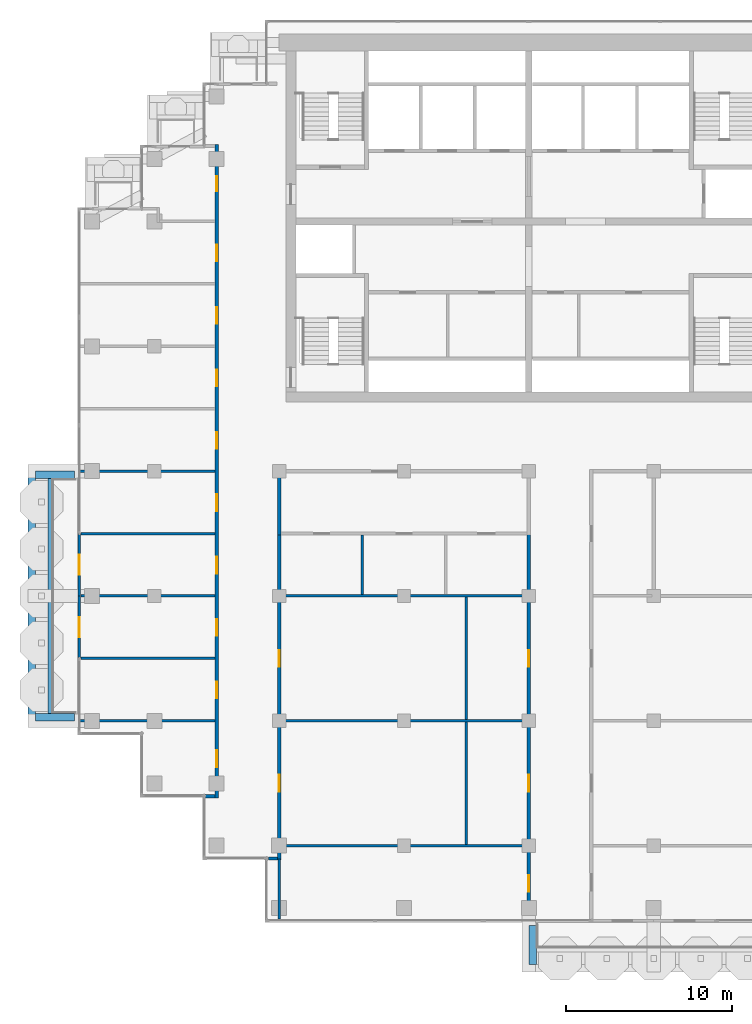
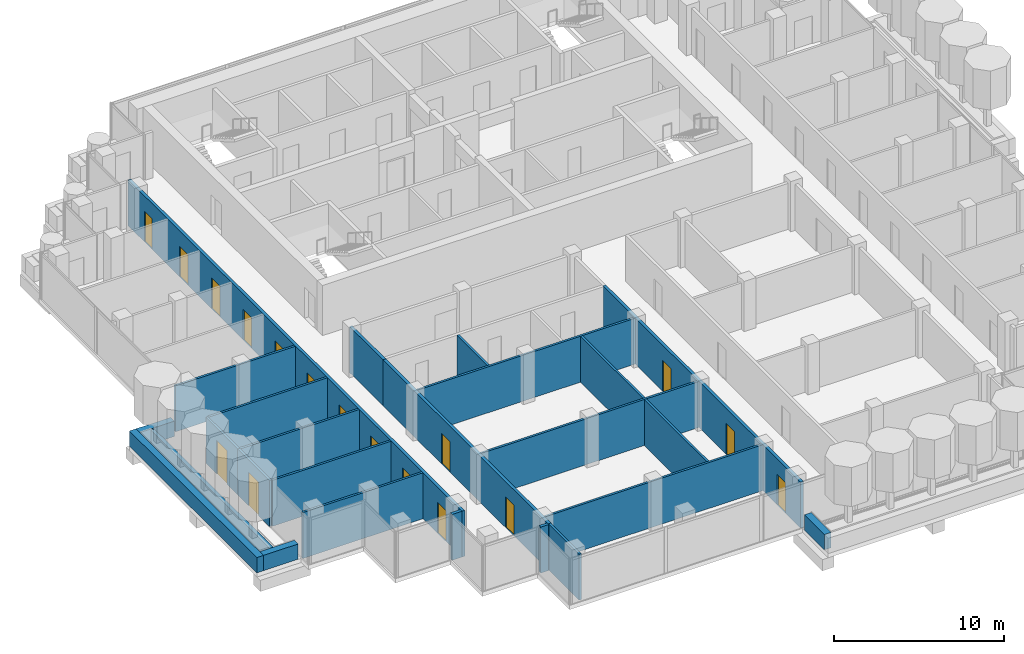
# One storey, part 11 of 19: 24 walls, 17 doors, 17 openings.
"""IFC4 building model written with IfcOpenShell, lengths in metres."""

from ifc_helpers import new_model, si_unit, direction, frame, frame_2d, origin, place, context, subcontext, project, spatial, rectangle, extrude, material, layer, layer_set, type_object, element, fill, save


model = new_model("IFC4")

# Units and contexts
model_context = context("Model", 3, precision=1e-05, world=origin(), true_north=direction((0.0, 1.0)))
body_context = subcontext(model_context, "Body", "Model", "MODEL_VIEW")
ifc_project = project(units=[si_unit("LENGTHUNIT", "METRE"), si_unit("AREAUNIT", "SQUARE_METRE"), si_unit("VOLUMEUNIT", "CUBIC_METRE"), si_unit("PLANEANGLEUNIT", "RADIAN"), si_unit("MASSUNIT", "GRAM", prefix="KILO")], contexts=[model_context])

# Site, building, storey
site_placement = place(None, origin())
site = spatial("IfcSite", under=ifc_project, at=site_placement, CompositionType="ELEMENT")
building_placement = place(site_placement, origin())
building = spatial("IfcBuilding", under=site, at=building_placement, Name="Pilkhan Gate Tower", CompositionType="ELEMENT")
storey_placement = place(building_placement, frame((0.0, 0.0, 246.300048828125)))
storey = spatial("IfcBuildingStorey", under=building, at=storey_placement, Name="L64", CompositionType="ELEMENT", Elevation=246.300048828125)

# Walls
ifc_material_1 = material(Name="Concrete C40/50", Category="concrete")
ifc_layer_1 = layer(ifc_material_1, 0.25)
ifc_layer_set_1 = layer_set([ifc_layer_1], Name="Balcony planter BP250")
wall_type_1 = type_object("IfcWallType", Name="Balcony planter BP250", PredefinedType="USERDEFINED", material=ifc_layer_set_1)
wall_1_placement = place(storey_placement, frame((46.22509765625, 52.949951171875, 0.0), z_axis=(0.0, 0.0, 1.0), x_axis=(0.0, 1.0, 0.0)))
element("IfcWall", 1, at=wall_1_placement, inside=storey, type_object=wall_type_1, Name="Balcony planter L64 W", ObjectType="BALCONY PLANTER", PredefinedType="USERDEFINED", context=body_context, shape_type="SweptSolid", body=[
    extrude(rectangle(XDim=14.10009765625, YDim=0.25, at=frame_2d((7.050048828125, 0.0))), origin(), (0.0, 0.0, 1.0), 1.0),
])
ifc_material_2 = material(Name="Board-marked Concrete C40/50", Category="concrete")
ifc_layer_2 = layer(ifc_material_2, 0.449951171875)
ifc_layer_set_2 = layer_set([ifc_layer_2], Name="Balcony planter lip BL450")
wall_type_2 = type_object("IfcWallType", Name="Balcony planter lip BL450", PredefinedType="USERDEFINED", material=ifc_layer_set_2)
wall_2_placement = place(storey_placement, frame((75.22509765625, 40.199951171875, 0.0), z_axis=(0.0, 0.0, 1.0), x_axis=(0.0, -1.0, 0.0)))
element("IfcWall", 2, at=wall_2_placement, inside=storey, type_object=wall_type_2, Name="Balcony planter L64 S", ObjectType="BALCONY PLANTER", PredefinedType="USERDEFINED", context=body_context, shape_type="SweptSolid", body=[
    extrude(rectangle(XDim=2.349853515625, YDim=0.449951171875, at=frame_2d((1.1748046875, 0.0))), origin(), (0.0, 0.0, 1.0), 1.099853515625),
])
wall_3_placement = place(storey_placement, frame((45.125, 52.5, 0.0), z_axis=(0.0, 0.0, 1.0), x_axis=(0.0, 1.0, 0.0)))
element("IfcWall", 3, at=wall_3_placement, inside=storey, type_object=wall_type_2, Name="Balcony planter L64 W", ObjectType="BALCONY PLANTER", PredefinedType="USERDEFINED", context=body_context, shape_type="SweptSolid", body=[
    extrude(rectangle(XDim=15.0, YDim=0.449951171875, at=frame_2d((7.5, 0.0))), origin(), (0.0, 0.0, 1.0), 1.099853515625),
])
for number, where, z_axis, x_axis, name in (
    (4, (47.699951171875, 52.72509765625, 0.0), (0.0, 0.0, 1.0), (-1.0, 0.0, 0.0), "Balcony planter L64 W"),
    (5, (47.699951171875, 67.27490234375, 0.0), (0.0, 0.0, 1.0), (-1.0, 0.0, 0.0), "Balcony planter L64 W"),
):
    element("IfcWall", number, at=place(storey_placement, frame(where, z_axis=z_axis, x_axis=x_axis)), inside=storey, type_object=wall_type_2, Name=name, ObjectType="BALCONY PLANTER", PredefinedType="USERDEFINED", context=body_context, shape_type="SweptSolid", body=[
        extrude(rectangle(XDim=2.349853515625, YDim=0.449951171875, at=frame_2d((1.1748046875, 0.0))), origin(), (0.0, 0.0, 1.0), 1.099853515625),
    ])
ifc_material_3 = material(Name="Dense blockwork", Category="masonry")
ifc_layer_3 = layer(ifc_material_3, 0.199951171875)
ifc_layer_set_3 = layer_set([ifc_layer_3], Name="Corridor wall FW200")
wall_type_3 = type_object("IfcWallType", Name="Corridor wall FW200", PredefinedType="PARTITIONING", material=ifc_layer_set_3)
wall_4_placement = place(storey_placement, frame((59.35498046875, 44.235107421875, 0.0), z_axis=(0.0, 0.0, 1.0), x_axis=(1.0, 0.0, 0.0)))
element("IfcWall", 6, at=wall_4_placement, inside=storey, type_object=wall_type_3, Name="Partition L64", PredefinedType="PARTITIONING", context=body_context, shape_type="SweptSolid", body=[
    extrude(rectangle(XDim=0.544921875, YDim=0.199951171875, at=frame_2d((0.2724609375, 0.0))), origin(), (0.0, 0.0, 1.0), 3.300048828125),
])
wall_5_placement = place(storey_placement, frame((55.485107421875, 47.969970703125, 0.0), z_axis=(0.0, 0.0, 1.0), x_axis=(1.0, 0.0, 0.0)))
element("IfcWall", 7, at=wall_5_placement, inside=storey, type_object=wall_type_3, Name="Partition L64", PredefinedType="PARTITIONING", context=body_context, shape_type="SweptSolid", body=[
    extrude(rectangle(XDim=0.664794921875, YDim=0.199951171875, at=frame_2d((0.33251953125, 0.0))), origin(), (0.0, 0.0, 1.0), 3.300048828125),
])

# Wall, openings, doors
wall_6_placement = place(storey_placement, frame((56.25, 47.8701171875, 0.0), z_axis=(0.0, 0.0, 1.0), x_axis=(0.0, 1.0, 0.0)))
wall_6 = element("IfcWall", 8, at=wall_6_placement, inside=storey, type_object=wall_type_3, Name="Partition L64", PredefinedType="PARTITIONING", context=body_context, shape_type="SweptSolid", body=[
    extrude(rectangle(XDim=39.259765625, YDim=0.199951171875, at=frame_2d((19.6298828125, 0.0))), origin(), (0.0, 0.0, 1.0), 3.300048828125),
])
opening_1_placement = place(wall_6_placement, frame((1.85009765625, 0.0, 0.0)))
opening_1 = element("IfcOpeningElement", 9, at=opening_1_placement, cuts=wall_6, Name="Opening L64-26", PredefinedType="OPENING", context=body_context, shape_type="SweptSolid", body=[
    extrude(rectangle(XDim=1.0, YDim=2.199951171875, at=frame_2d((0.5, 1.10009765625))), frame((0.0, 0.10986328125, 0.0), z_axis=(0.0, -1.0, 0.0), x_axis=(1.0, 0.0, 0.0)), (0.0, 0.0, 1.0), 0.219970703125),
])
opening_2_placement = place(wall_6_placement, frame((5.97998046875, 0.0, 0.0)))
opening_2 = element("IfcOpeningElement", 10, at=opening_2_placement, cuts=wall_6, Name="Opening L64-27", PredefinedType="OPENING", context=body_context, shape_type="SweptSolid", body=[
    extrude(rectangle(XDim=1.0, YDim=2.199951171875, at=frame_2d((0.5, 1.10009765625))), frame((0.0, 0.10986328125, 0.0), z_axis=(0.0, -1.0, 0.0), x_axis=(1.0, 0.0, 0.0)), (0.0, 0.0, 1.0), 0.219970703125),
])
opening_3_placement = place(wall_6_placement, frame((9.72998046875, 0.0, 0.0)))
opening_3 = element("IfcOpeningElement", 11, at=opening_3_placement, cuts=wall_6, Name="Opening L64-28", PredefinedType="OPENING", context=body_context, shape_type="SweptSolid", body=[
    extrude(rectangle(XDim=1.0, YDim=2.199951171875, at=frame_2d((0.5, 1.10009765625))), frame((0.0, 0.10986328125, 0.0), z_axis=(0.0, -1.0, 0.0), x_axis=(1.0, 0.0, 0.0)), (0.0, 0.0, 1.0), 0.219970703125),
])
opening_4_placement = place(wall_6_placement, frame((13.47998046875, 0.0, 0.0)))
opening_4 = element("IfcOpeningElement", 12, at=opening_4_placement, cuts=wall_6, Name="Opening L64-29", PredefinedType="OPENING", context=body_context, shape_type="SweptSolid", body=[
    extrude(rectangle(XDim=1.0, YDim=2.199951171875, at=frame_2d((0.5, 1.10009765625))), frame((0.0, 0.10986328125, 0.0), z_axis=(0.0, -1.0, 0.0), x_axis=(1.0, 0.0, 0.0)), (0.0, 0.0, 1.0), 0.219970703125),
])
opening_5_placement = place(wall_6_placement, frame((17.22998046875, 0.0, 0.0)))
opening_5 = element("IfcOpeningElement", 13, at=opening_5_placement, cuts=wall_6, Name="Opening L64-30", PredefinedType="OPENING", context=body_context, shape_type="SweptSolid", body=[
    extrude(rectangle(XDim=1.0, YDim=2.199951171875, at=frame_2d((0.5, 1.10009765625))), frame((0.0, 0.10986328125, 0.0), z_axis=(0.0, -1.0, 0.0), x_axis=(1.0, 0.0, 0.0)), (0.0, 0.0, 1.0), 0.219970703125),
])
opening_6_placement = place(wall_6_placement, frame((20.97998046875, 0.0, 0.0)))
opening_6 = element("IfcOpeningElement", 14, at=opening_6_placement, cuts=wall_6, Name="Opening L64-31", PredefinedType="OPENING", context=body_context, shape_type="SweptSolid", body=[
    extrude(rectangle(XDim=1.0, YDim=2.199951171875, at=frame_2d((0.5, 1.10009765625))), frame((0.0, 0.10986328125, 0.0), z_axis=(0.0, -1.0, 0.0), x_axis=(1.0, 0.0, 0.0)), (0.0, 0.0, 1.0), 0.219970703125),
])
opening_7_placement = place(wall_6_placement, frame((24.72998046875, 0.0, 0.0)))
opening_7 = element("IfcOpeningElement", 15, at=opening_7_placement, cuts=wall_6, Name="Opening L64-32", PredefinedType="OPENING", context=body_context, shape_type="SweptSolid", body=[
    extrude(rectangle(XDim=1.0, YDim=2.199951171875, at=frame_2d((0.5, 1.10009765625))), frame((0.0, 0.10986328125, 0.0), z_axis=(0.0, -1.0, 0.0), x_axis=(1.0, 0.0, 0.0)), (0.0, 0.0, 1.0), 0.219970703125),
])
opening_8_placement = place(wall_6_placement, frame((28.47998046875, 0.0, 0.0)))
opening_8 = element("IfcOpeningElement", 16, at=opening_8_placement, cuts=wall_6, Name="Opening L64-40", PredefinedType="OPENING", context=body_context, shape_type="SweptSolid", body=[
    extrude(rectangle(XDim=1.0, YDim=2.199951171875, at=frame_2d((0.5, 1.10009765625))), frame((0.0, 0.10986328125, 0.0), z_axis=(0.0, -1.0, 0.0), x_axis=(1.0, 0.0, 0.0)), (0.0, 0.0, 1.0), 0.219970703125),
])
opening_9_placement = place(wall_6_placement, frame((32.22998046875, 0.0, 0.0)))
opening_9 = element("IfcOpeningElement", 17, at=opening_9_placement, cuts=wall_6, Name="Opening L64-41", PredefinedType="OPENING", context=body_context, shape_type="SweptSolid", body=[
    extrude(rectangle(XDim=1.0, YDim=2.199951171875, at=frame_2d((0.5, 1.10009765625))), frame((0.0, 0.10986328125, 0.0), z_axis=(0.0, -1.0, 0.0), x_axis=(1.0, 0.0, 0.0)), (0.0, 0.0, 1.0), 0.219970703125),
])
opening_10_placement = place(wall_6_placement, frame((36.429931640625, 0.0, 0.0)))
opening_10 = element("IfcOpeningElement", 18, at=opening_10_placement, cuts=wall_6, Name="Opening L64-42", PredefinedType="OPENING", context=body_context, shape_type="SweptSolid", body=[
    extrude(rectangle(XDim=0.89990234375, YDim=2.199951171875, at=frame_2d((0.449951171875, 1.10009765625))), frame((0.0, 0.10986328125, 0.0), z_axis=(0.0, -1.0, 0.0), x_axis=(1.0, 0.0, 0.0)), (0.0, 0.0, 1.0), 0.219970703125),
])
ifc_material_4 = material(Name="Timber flush door, 30 minute fire resisting", Category="wood")
door_type_1 = type_object("IfcDoorType", Name="Room door D03 1000x2200", OperationType="SINGLE_SWING_LEFT", PredefinedType="DOOR", material=ifc_material_4)
door_1_placement = place(opening_1_placement, origin())
door_1 = element("IfcDoor", 19, at=door_1_placement, inside=storey, type_object=door_type_1, Name="Room door", OperationType="SINGLE_SWING_RIGHT", OverallHeight=2.199951171875, OverallWidth=1.0, PredefinedType="DOOR", context=body_context, shape_type="SweptSolid", body=[
    extrude(rectangle(XDim=1.0, YDim=2.199951171875, at=frame_2d((0.5, 1.10009765625))), frame((0.0, 0.02490234375, 0.0), z_axis=(0.0, -1.0, 0.0), x_axis=(1.0, 0.0, 0.0)), (0.0, 0.0, 1.0), 0.050048828125),
])
fill(opening_1, door_1)
door_2_placement = place(opening_2_placement, origin())
door_2 = element("IfcDoor", 20, at=door_2_placement, inside=storey, type_object=door_type_1, Name="Room door", OperationType="SINGLE_SWING_RIGHT", OverallHeight=2.199951171875, OverallWidth=1.0, PredefinedType="DOOR", context=body_context, shape_type="SweptSolid", body=[
    extrude(rectangle(XDim=1.0, YDim=2.199951171875, at=frame_2d((0.5, 1.10009765625))), frame((0.0, 0.02490234375, 0.0), z_axis=(0.0, -1.0, 0.0), x_axis=(1.0, 0.0, 0.0)), (0.0, 0.0, 1.0), 0.050048828125),
])
fill(opening_2, door_2)
door_3_placement = place(opening_3_placement, origin())
door_3 = element("IfcDoor", 21, at=door_3_placement, inside=storey, type_object=door_type_1, Name="Room door", OperationType="SINGLE_SWING_RIGHT", OverallHeight=2.199951171875, OverallWidth=1.0, PredefinedType="DOOR", context=body_context, shape_type="SweptSolid", body=[
    extrude(rectangle(XDim=1.0, YDim=2.199951171875, at=frame_2d((0.5, 1.10009765625))), frame((0.0, 0.02490234375, 0.0), z_axis=(0.0, -1.0, 0.0), x_axis=(1.0, 0.0, 0.0)), (0.0, 0.0, 1.0), 0.050048828125),
])
fill(opening_3, door_3)
door_4_placement = place(opening_4_placement, origin())
door_4 = element("IfcDoor", 22, at=door_4_placement, inside=storey, type_object=door_type_1, Name="Room door", OperationType="SINGLE_SWING_LEFT", OverallHeight=2.199951171875, OverallWidth=1.0, PredefinedType="DOOR", context=body_context, shape_type="SweptSolid", body=[
    extrude(rectangle(XDim=1.0, YDim=2.199951171875, at=frame_2d((0.5, 1.10009765625))), frame((0.0, 0.02490234375, 0.0), z_axis=(0.0, -1.0, 0.0), x_axis=(1.0, 0.0, 0.0)), (0.0, 0.0, 1.0), 0.050048828125),
])
fill(opening_4, door_4)
door_5_placement = place(opening_5_placement, origin())
door_5 = element("IfcDoor", 23, at=door_5_placement, inside=storey, type_object=door_type_1, Name="Room door", OperationType="SINGLE_SWING_RIGHT", OverallHeight=2.199951171875, OverallWidth=1.0, PredefinedType="DOOR", context=body_context, shape_type="SweptSolid", body=[
    extrude(rectangle(XDim=1.0, YDim=2.199951171875, at=frame_2d((0.5, 1.10009765625))), frame((0.0, 0.02490234375, 0.0), z_axis=(0.0, -1.0, 0.0), x_axis=(1.0, 0.0, 0.0)), (0.0, 0.0, 1.0), 0.050048828125),
])
fill(opening_5, door_5)
door_6_placement = place(opening_6_placement, origin())
door_6 = element("IfcDoor", 24, at=door_6_placement, inside=storey, type_object=door_type_1, Name="Room door", OperationType="SINGLE_SWING_RIGHT", OverallHeight=2.199951171875, OverallWidth=1.0, PredefinedType="DOOR", context=body_context, shape_type="SweptSolid", body=[
    extrude(rectangle(XDim=1.0, YDim=2.199951171875, at=frame_2d((0.5, 1.10009765625))), frame((0.0, 0.02490234375, 0.0), z_axis=(0.0, -1.0, 0.0), x_axis=(1.0, 0.0, 0.0)), (0.0, 0.0, 1.0), 0.050048828125),
])
fill(opening_6, door_6)
door_7_placement = place(opening_7_placement, origin())
door_7 = element("IfcDoor", 25, at=door_7_placement, inside=storey, type_object=door_type_1, Name="Room door", OperationType="SINGLE_SWING_LEFT", OverallHeight=2.199951171875, OverallWidth=1.0, PredefinedType="DOOR", context=body_context, shape_type="SweptSolid", body=[
    extrude(rectangle(XDim=1.0, YDim=2.199951171875, at=frame_2d((0.5, 1.10009765625))), frame((0.0, 0.02490234375, 0.0), z_axis=(0.0, -1.0, 0.0), x_axis=(1.0, 0.0, 0.0)), (0.0, 0.0, 1.0), 0.050048828125),
])
fill(opening_7, door_7)
door_8_placement = place(opening_8_placement, origin())
door_8 = element("IfcDoor", 26, at=door_8_placement, inside=storey, type_object=door_type_1, Name="Room door", OperationType="SINGLE_SWING_LEFT", OverallHeight=2.199951171875, OverallWidth=1.0, PredefinedType="DOOR", context=body_context, shape_type="SweptSolid", body=[
    extrude(rectangle(XDim=1.0, YDim=2.199951171875, at=frame_2d((0.5, 1.10009765625))), frame((0.0, 0.02490234375, 0.0), z_axis=(0.0, -1.0, 0.0), x_axis=(1.0, 0.0, 0.0)), (0.0, 0.0, 1.0), 0.050048828125),
])
fill(opening_8, door_8)
door_9_placement = place(opening_9_placement, origin())
door_9 = element("IfcDoor", 27, at=door_9_placement, inside=storey, type_object=door_type_1, Name="Room door", OperationType="SINGLE_SWING_LEFT", OverallHeight=2.199951171875, OverallWidth=1.0, PredefinedType="DOOR", context=body_context, shape_type="SweptSolid", body=[
    extrude(rectangle(XDim=1.0, YDim=2.199951171875, at=frame_2d((0.5, 1.10009765625))), frame((0.0, 0.02490234375, 0.0), z_axis=(0.0, -1.0, 0.0), x_axis=(1.0, 0.0, 0.0)), (0.0, 0.0, 1.0), 0.050048828125),
])
fill(opening_9, door_9)
ifc_material_5 = material(Name="Timber flush door, 60 minute fire resisting, self-closing", Category="wood")
door_type_2 = type_object("IfcDoorType", Name="Store door D05 900x2200", OperationType="SINGLE_SWING_LEFT", PredefinedType="DOOR", material=ifc_material_5)
door_10_placement = place(opening_10_placement, origin())
door_10 = element("IfcDoor", 28, at=door_10_placement, inside=storey, type_object=door_type_2, Name="Store door", OperationType="SINGLE_SWING_RIGHT", OverallHeight=2.199951171875, OverallWidth=0.89990234375, PredefinedType="DOOR", context=body_context, shape_type="SweptSolid", body=[
    extrude(rectangle(XDim=0.89990234375, YDim=2.199951171875, at=frame_2d((0.449951171875, 1.10009765625))), frame((0.0, 0.02490234375, 0.0), z_axis=(0.0, -1.0, 0.0), x_axis=(1.0, 0.0, 0.0)), (0.0, 0.0, 1.0), 0.050048828125),
])
fill(opening_10, door_10)

wall_7_placement = place(storey_placement, frame((60.0, 44.135009765625, 0.0), z_axis=(0.0, 0.0, 1.0), x_axis=(0.0, 1.0, 0.0)))
wall_7 = element("IfcWall", 29, at=wall_7_placement, inside=storey, type_object=wall_type_3, Name="Partition L64", PredefinedType="PARTITIONING", context=body_context, shape_type="SweptSolid", body=[
    extrude(rectangle(XDim=19.614990234375, YDim=0.199951171875, at=frame_2d((9.8076171875, 0.0))), origin(), (0.0, 0.0, 1.0), 3.300048828125),
])
opening_11_placement = place(wall_7_placement, frame((4.114990234375, 0.0, 0.0)))
opening_11 = element("IfcOpeningElement", 30, at=opening_11_placement, cuts=wall_7, Name="Opening L64-17", PredefinedType="OPENING", context=body_context, shape_type="SweptSolid", body=[
    extrude(rectangle(XDim=1.0, YDim=2.199951171875, at=frame_2d((0.5, 1.10009765625))), frame((0.0, 0.10986328125, 0.0), z_axis=(0.0, -1.0, 0.0), x_axis=(1.0, 0.0, 0.0)), (0.0, 0.0, 1.0), 0.219970703125),
])
opening_12_placement = place(wall_7_placement, frame((11.614990234375, 0.0, 0.0)))
opening_12 = element("IfcOpeningElement", 31, at=opening_12_placement, cuts=wall_7, Name="Opening L64-19", PredefinedType="OPENING", context=body_context, shape_type="SweptSolid", body=[
    extrude(rectangle(XDim=1.0, YDim=2.199951171875, at=frame_2d((0.5, 1.10009765625))), frame((0.0, 0.10986328125, 0.0), z_axis=(0.0, -1.0, 0.0), x_axis=(1.0, 0.0, 0.0)), (0.0, 0.0, 1.0), 0.219970703125),
])
door_11_placement = place(opening_11_placement, origin())
door_11 = element("IfcDoor", 32, at=door_11_placement, inside=storey, type_object=door_type_1, Name="Room door", OperationType="SINGLE_SWING_LEFT", OverallHeight=2.199951171875, OverallWidth=1.0, PredefinedType="DOOR", context=body_context, shape_type="SweptSolid", body=[
    extrude(rectangle(XDim=1.0, YDim=2.199951171875, at=frame_2d((0.5, 1.10009765625))), frame((0.0, 0.02490234375, 0.0), z_axis=(0.0, -1.0, 0.0), x_axis=(1.0, 0.0, 0.0)), (0.0, 0.0, 1.0), 0.050048828125),
])
fill(opening_11, door_11)
door_12_placement = place(opening_12_placement, origin())
door_12 = element("IfcDoor", 33, at=door_12_placement, inside=storey, type_object=door_type_1, Name="Room door", OperationType="SINGLE_SWING_LEFT", OverallHeight=2.199951171875, OverallWidth=1.0, PredefinedType="DOOR", context=body_context, shape_type="SweptSolid", body=[
    extrude(rectangle(XDim=1.0, YDim=2.199951171875, at=frame_2d((0.5, 1.10009765625))), frame((0.0, 0.02490234375, 0.0), z_axis=(0.0, -1.0, 0.0), x_axis=(1.0, 0.0, 0.0)), (0.0, 0.0, 1.0), 0.050048828125),
])
fill(opening_12, door_12)

wall_8_placement = place(storey_placement, frame((75.0, 40.485107421875, 0.0), z_axis=(0.0, 0.0, 1.0), x_axis=(0.0, 1.0, 0.0)))
wall_8 = element("IfcWall", 34, at=wall_8_placement, inside=storey, type_object=wall_type_3, Name="Partition L64", PredefinedType="PARTITIONING", context=body_context, shape_type="SweptSolid", body=[
    extrude(rectangle(XDim=23.264892578125, YDim=0.199951171875, at=frame_2d((11.63232421875, 0.0))), origin(), (0.0, 0.0, 1.0), 3.300048828125),
])
opening_13_placement = place(wall_8_placement, frame((1.75, 0.0, 0.0)))
opening_13 = element("IfcOpeningElement", 35, at=opening_13_placement, cuts=wall_8, Name="Opening L64-16", PredefinedType="OPENING", context=body_context, shape_type="SweptSolid", body=[
    extrude(rectangle(XDim=1.0, YDim=2.199951171875, at=frame_2d((0.5, 1.10009765625))), frame((0.0, 0.10986328125, 0.0), z_axis=(0.0, -1.0, 0.0), x_axis=(1.0, 0.0, 0.0)), (0.0, 0.0, 1.0), 0.219970703125),
])
opening_14_placement = place(wall_8_placement, frame((7.764892578125, 0.0, 0.0)))
opening_14 = element("IfcOpeningElement", 36, at=opening_14_placement, cuts=wall_8, Name="Opening L64-18", PredefinedType="OPENING", context=body_context, shape_type="SweptSolid", body=[
    extrude(rectangle(XDim=1.0, YDim=2.199951171875, at=frame_2d((0.5, 1.10009765625))), frame((0.0, 0.10986328125, 0.0), z_axis=(0.0, -1.0, 0.0), x_axis=(1.0, 0.0, 0.0)), (0.0, 0.0, 1.0), 0.219970703125),
])
opening_15_placement = place(wall_8_placement, frame((15.264892578125, 0.0, 0.0)))
opening_15 = element("IfcOpeningElement", 37, at=opening_15_placement, cuts=wall_8, Name="Opening L64-20", PredefinedType="OPENING", context=body_context, shape_type="SweptSolid", body=[
    extrude(rectangle(XDim=1.0, YDim=2.199951171875, at=frame_2d((0.5, 1.10009765625))), frame((0.0, 0.10986328125, 0.0), z_axis=(0.0, -1.0, 0.0), x_axis=(1.0, 0.0, 0.0)), (0.0, 0.0, 1.0), 0.219970703125),
])
door_13_placement = place(opening_13_placement, origin())
door_13 = element("IfcDoor", 38, at=door_13_placement, inside=storey, type_object=door_type_1, Name="Room door", OperationType="SINGLE_SWING_LEFT", OverallHeight=2.199951171875, OverallWidth=1.0, PredefinedType="DOOR", context=body_context, shape_type="SweptSolid", body=[
    extrude(rectangle(XDim=1.0, YDim=2.199951171875, at=frame_2d((0.5, 1.10009765625))), frame((0.0, 0.02490234375, 0.0), z_axis=(0.0, -1.0, 0.0), x_axis=(1.0, 0.0, 0.0)), (0.0, 0.0, 1.0), 0.050048828125),
])
fill(opening_13, door_13)
door_14_placement = place(opening_14_placement, origin())
door_14 = element("IfcDoor", 39, at=door_14_placement, inside=storey, type_object=door_type_1, Name="Room door", OperationType="SINGLE_SWING_RIGHT", OverallHeight=2.199951171875, OverallWidth=1.0, PredefinedType="DOOR", context=body_context, shape_type="SweptSolid", body=[
    extrude(rectangle(XDim=1.0, YDim=2.199951171875, at=frame_2d((0.5, 1.10009765625))), frame((0.0, 0.02490234375, 0.0), z_axis=(0.0, -1.0, 0.0), x_axis=(1.0, 0.0, 0.0)), (0.0, 0.0, 1.0), 0.050048828125),
])
fill(opening_14, door_14)
door_15_placement = place(opening_15_placement, origin())
door_15 = element("IfcDoor", 40, at=door_15_placement, inside=storey, type_object=door_type_1, Name="Room door", OperationType="SINGLE_SWING_RIGHT", OverallHeight=2.199951171875, OverallWidth=1.0, PredefinedType="DOOR", context=body_context, shape_type="SweptSolid", body=[
    extrude(rectangle(XDim=1.0, YDim=2.199951171875, at=frame_2d((0.5, 1.10009765625))), frame((0.0, 0.02490234375, 0.0), z_axis=(0.0, -1.0, 0.0), x_axis=(1.0, 0.0, 0.0)), (0.0, 0.0, 1.0), 0.050048828125),
])
fill(opening_15, door_15)

# Wall, opening, door
ifc_material_6 = material(Name="Pale anodised aluminium, clear laminated glazing", Category="aluminium")
ifc_layer_4 = layer(ifc_material_6, 0.14990234375)
ifc_layer_set_4 = layer_set([ifc_layer_4], Name="Facade infill wall IW150")
wall_type_4 = type_object("IfcWallType", Name="Facade infill wall IW150", PredefinedType="SOLIDWALL", material=ifc_layer_set_4)
wall_9_placement = place(storey_placement, frame((48.0, 56.25, 0.0), z_axis=(0.0, 0.0, 1.0), x_axis=(0.0, 1.0, 0.0)))
wall_9 = element("IfcWall", 41, at=wall_9_placement, inside=storey, type_object=wall_type_4, Name="Infill wall L64 W", PredefinedType="SOLIDWALL", context=body_context, shape_type="SweptSolid", body=[
    extrude(rectangle(XDim=3.75, YDim=0.14990234375, at=frame_2d((1.875, 0.0))), origin(), (0.0, 0.0, 1.0), 3.300048828125),
])
opening_16_placement = place(wall_9_placement, frame((1.27490234375, 0.0, 0.0)))
opening_16 = element("IfcOpeningElement", 42, at=opening_16_placement, cuts=wall_9, Name="Opening D1", PredefinedType="OPENING", context=body_context, shape_type="SweptSolid", body=[
    extrude(rectangle(XDim=1.199951171875, YDim=2.39990234375, at=frame_2d((0.60009765625, 1.199951171875))), frame((0.0, 0.0849609375, 0.0), z_axis=(0.0, -1.0, 0.0), x_axis=(1.0, 0.0, 0.0)), (0.0, 0.0, 1.0), 0.169921875),
])
ifc_material_7 = material(Name="Pale anodised aluminium, clear glazing", Category="aluminium")
door_type_3 = type_object("IfcDoorType", Name="Balcony door D1 1200x2400", OperationType="SINGLE_SWING_LEFT", PredefinedType="DOOR", material=ifc_material_7)
door_16_placement = place(opening_16_placement, origin())
door_16 = element("IfcDoor", 43, at=door_16_placement, inside=storey, type_object=door_type_3, Name="Balcony door L64", OperationType="SINGLE_SWING_LEFT", OverallHeight=2.39990234375, OverallWidth=1.199951171875, PredefinedType="DOOR", context=body_context, shape_type="SweptSolid", body=[
    extrude(rectangle(XDim=1.199951171875, YDim=2.39990234375, at=frame_2d((0.60009765625, 1.199951171875))), frame((0.0, 0.02490234375, 0.0), z_axis=(0.0, -1.0, 0.0), x_axis=(1.0, 0.0, 0.0)), (0.0, 0.0, 1.0), 0.050048828125),
])
fill(opening_16, door_16)

wall_10_placement = place(storey_placement, frame((48.0, 60.0, 0.0), z_axis=(0.0, 0.0, 1.0), x_axis=(0.0, 1.0, 0.0)))
wall_10 = element("IfcWall", 44, at=wall_10_placement, inside=storey, type_object=wall_type_4, Name="Infill wall L64 W", PredefinedType="SOLIDWALL", context=body_context, shape_type="SweptSolid", body=[
    extrude(rectangle(XDim=3.75, YDim=0.14990234375, at=frame_2d((1.875, 0.0))), origin(), (0.0, 0.0, 1.0), 3.300048828125),
])
opening_17_placement = place(wall_10_placement, frame((1.27490234375, 0.0, 0.0)))
opening_17 = element("IfcOpeningElement", 45, at=opening_17_placement, cuts=wall_10, Name="Opening D1", PredefinedType="OPENING", context=body_context, shape_type="SweptSolid", body=[
    extrude(rectangle(XDim=1.199951171875, YDim=2.39990234375, at=frame_2d((0.60009765625, 1.199951171875))), frame((0.0, 0.0849609375, 0.0), z_axis=(0.0, -1.0, 0.0), x_axis=(1.0, 0.0, 0.0)), (0.0, 0.0, 1.0), 0.169921875),
])
door_17_placement = place(opening_17_placement, origin())
door_17 = element("IfcDoor", 46, at=door_17_placement, inside=storey, type_object=door_type_3, Name="Balcony door L64", OperationType="SINGLE_SWING_LEFT", OverallHeight=2.39990234375, OverallWidth=1.199951171875, PredefinedType="DOOR", context=body_context, shape_type="SweptSolid", body=[
    extrude(rectangle(XDim=1.199951171875, YDim=2.39990234375, at=frame_2d((0.60009765625, 1.199951171875))), frame((0.0, 0.02490234375, 0.0), z_axis=(0.0, -1.0, 0.0), x_axis=(1.0, 0.0, 0.0)), (0.0, 0.0, 1.0), 0.050048828125),
])
fill(opening_17, door_17)

# Walls
ifc_layer_5 = layer(ifc_material_3, 0.199951171875)
ifc_layer_set_5 = layer_set([ifc_layer_5], Name="Lobby wall LW200")
wall_type_5 = type_object("IfcWallType", Name="Lobby wall LW200", PredefinedType="PARTITIONING", material=ifc_layer_set_5)
wall_11_placement = place(storey_placement, frame((60.0, 63.64990234375, 0.0), z_axis=(0.0, 0.0, 1.0), x_axis=(0.0, 1.0, 0.0)))
element("IfcWall", 47, at=wall_11_placement, inside=storey, type_object=wall_type_5, Name="Partition L64", PredefinedType="PARTITIONING", context=body_context, shape_type="SweptSolid", body=[
    extrude(rectangle(XDim=3.9501953125, YDim=0.199951171875, at=frame_2d((1.97509765625, 0.0))), origin(), (0.0, 0.0, 1.0), 3.300048828125),
])
ifc_material_8 = material(Name="Blockwork partition, plastered both sides", Category="masonry")
ifc_layer_6 = layer(ifc_material_8, 0.14990234375)
ifc_layer_set_6 = layer_set([ifc_layer_6], Name="Partition PW150")
wall_type_6 = type_object("IfcWallType", Name="Partition PW150", PredefinedType="PARTITIONING", material=ifc_layer_set_6)
wall_12_placement = place(storey_placement, frame((60.10009765625, 45.0, 0.0), z_axis=(0.0, 0.0, 1.0), x_axis=(1.0, 0.0, 0.0)))
element("IfcWall", 48, at=wall_12_placement, inside=storey, type_object=wall_type_6, Name="Partition L64", PredefinedType="PARTITIONING", context=body_context, shape_type="SweptSolid", body=[
    extrude(rectangle(XDim=14.7998046875, YDim=0.14990234375, at=frame_2d((7.39990234375, 0.0))), origin(), (0.0, 0.0, 1.0), 3.300048828125),
])
wall_13_placement = place(storey_placement, frame((47.985107421875, 52.5, 0.0), z_axis=(0.0, 0.0, 1.0), x_axis=(1.0, 0.0, 0.0)))
element("IfcWall", 49, at=wall_13_placement, inside=storey, type_object=wall_type_6, Name="Partition L64", PredefinedType="PARTITIONING", context=body_context, shape_type="SweptSolid", body=[
    extrude(rectangle(XDim=8.164794921875, YDim=0.14990234375, at=frame_2d((4.08251953125, 0.0))), origin(), (0.0, 0.0, 1.0), 3.300048828125),
])
wall_14_placement = place(storey_placement, frame((60.10009765625, 52.5, 0.0), z_axis=(0.0, 0.0, 1.0), x_axis=(1.0, 0.0, 0.0)))
element("IfcWall", 50, at=wall_14_placement, inside=storey, type_object=wall_type_6, Name="Partition L64", PredefinedType="PARTITIONING", context=body_context, shape_type="SweptSolid", body=[
    extrude(rectangle(XDim=14.7998046875, YDim=0.14990234375, at=frame_2d((7.39990234375, 0.0))), origin(), (0.0, 0.0, 1.0), 3.300048828125),
])
for number, where, z_axis, x_axis, name in (
    (51, (48.0849609375, 56.25, 0.0), (0.0, 0.0, 1.0), (1.0, 0.0, 0.0), "Partition L64"),
    (52, (48.0849609375, 60.0, 0.0), (0.0, 0.0, 1.0), (1.0, 0.0, 0.0), "Partition L64"),
):
    element("IfcWall", number, at=place(storey_placement, frame(where, z_axis=z_axis, x_axis=x_axis)), inside=storey, type_object=wall_type_6, Name=name, PredefinedType="PARTITIONING", context=body_context, shape_type="SweptSolid", body=[
        extrude(rectangle(XDim=8.06494140625, YDim=0.14990234375, at=frame_2d((4.032470703125, 0.0))), origin(), (0.0, 0.0, 1.0), 3.300048828125),
    ])
wall_15_placement = place(storey_placement, frame((60.10009765625, 60.0, 0.0), z_axis=(0.0, 0.0, 1.0), x_axis=(1.0, 0.0, 0.0)))
element("IfcWall", 53, at=wall_15_placement, inside=storey, type_object=wall_type_6, Name="Partition L64", PredefinedType="PARTITIONING", context=body_context, shape_type="SweptSolid", body=[
    extrude(rectangle(XDim=14.7998046875, YDim=0.14990234375, at=frame_2d((7.39990234375, 0.0))), origin(), (0.0, 0.0, 1.0), 3.300048828125),
])
wall_16_placement = place(storey_placement, frame((48.0849609375, 63.75, 0.0), z_axis=(0.0, 0.0, 1.0), x_axis=(1.0, 0.0, 0.0)))
element("IfcWall", 54, at=wall_16_placement, inside=storey, type_object=wall_type_6, Name="Partition L64", PredefinedType="PARTITIONING", context=body_context, shape_type="SweptSolid", body=[
    extrude(rectangle(XDim=8.06494140625, YDim=0.14990234375, at=frame_2d((4.032470703125, 0.0))), origin(), (0.0, 0.0, 1.0), 3.300048828125),
])
wall_17_placement = place(storey_placement, frame((47.985107421875, 67.5, 0.0), z_axis=(0.0, 0.0, 1.0), x_axis=(1.0, 0.0, 0.0)))
element("IfcWall", 55, at=wall_17_placement, inside=storey, type_object=wall_type_6, Name="Partition L64", PredefinedType="PARTITIONING", context=body_context, shape_type="SweptSolid", body=[
    extrude(rectangle(XDim=8.164794921875, YDim=0.14990234375, at=frame_2d((4.08251953125, 0.0))), origin(), (0.0, 0.0, 1.0), 3.300048828125),
])
wall_18_placement = place(storey_placement, frame((60.0, 40.60498046875, 0.0), z_axis=(0.0, 0.0, 1.0), x_axis=(0.0, 1.0, 0.0)))
element("IfcWall", 56, at=wall_18_placement, inside=storey, type_object=wall_type_6, Name="Partition L64", PredefinedType="PARTITIONING", context=body_context, shape_type="SweptSolid", body=[
    extrude(rectangle(XDim=3.60009765625, YDim=0.14990234375, at=frame_2d((1.800048828125, 0.0))), origin(), (0.0, 0.0, 1.0), 3.300048828125),
])
wall_19_placement = place(storey_placement, frame((65.0, 60.074951171875, 0.0), z_axis=(0.0, 0.0, 1.0), x_axis=(0.0, 1.0, 0.0)))
element("IfcWall", 57, at=wall_19_placement, inside=storey, type_object=wall_type_6, Name="Partition L64", PredefinedType="PARTITIONING", context=body_context, shape_type="SweptSolid", body=[
    extrude(rectangle(XDim=3.574951171875, YDim=0.14990234375, at=frame_2d((1.78759765625, 0.0))), origin(), (0.0, 0.0, 1.0), 3.300048828125),
])
wall_20_placement = place(storey_placement, frame((71.25, 45.074951171875, 0.0), z_axis=(0.0, 0.0, 1.0), x_axis=(0.0, 1.0, 0.0)))
element("IfcWall", 58, at=wall_20_placement, inside=storey, type_object=wall_type_6, Name="Partition L64", PredefinedType="PARTITIONING", context=body_context, shape_type="SweptSolid", body=[
    extrude(rectangle(XDim=14.85009765625, YDim=0.14990234375, at=frame_2d((7.425048828125, 0.0))), origin(), (0.0, 0.0, 1.0), 3.300048828125),
])

save(model, "model.ifc")
